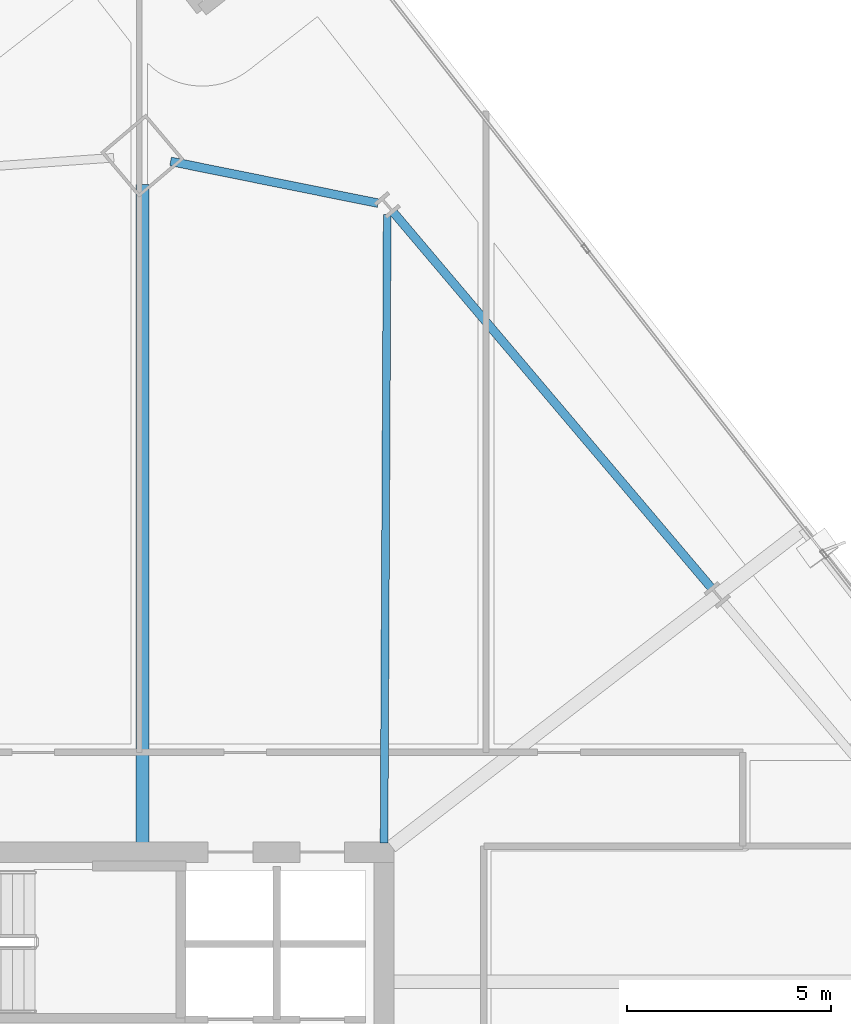
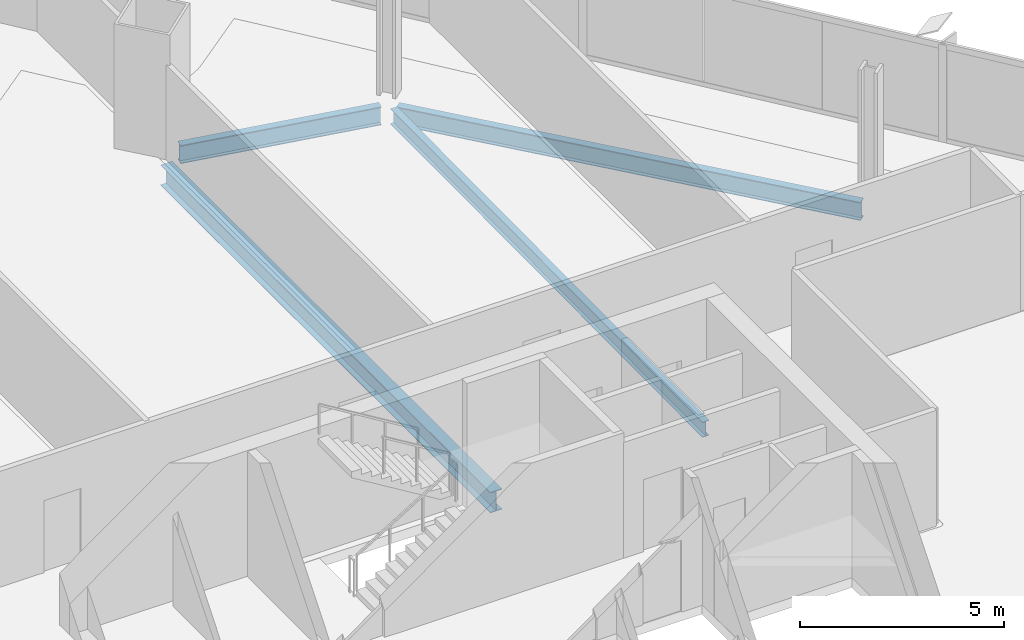
# One storey, part 20 of 32: 4 beams.
"""IFC4 building model written with IfcOpenShell, lengths in metres."""

from ifc_helpers import new_model, si_unit, direction, frame, origin, origin_2d, place, context, subcontext, project, spatial, i_section, extrude, material, material_profile, profile_set, type_object, element, save


model = new_model("IFC4")

# Units and contexts
model_context = context("Model", 3, precision=1e-05, world=origin(), true_north=direction((0.0, 1.0)))
body_context = subcontext(model_context, "Body", "Model", "MODEL_VIEW")
ifc_project = project(units=[si_unit("LENGTHUNIT", "METRE"), si_unit("AREAUNIT", "SQUARE_METRE"), si_unit("VOLUMEUNIT", "CUBIC_METRE"), si_unit("PLANEANGLEUNIT", "RADIAN"), si_unit("MASSUNIT", "GRAM", prefix="KILO")], contexts=[model_context])

# Site, building, storey
site_placement = place(None, origin())
site = spatial("IfcSite", under=ifc_project, at=site_placement, CompositionType="ELEMENT")
building_placement = place(site_placement, origin())
building = spatial("IfcBuilding", under=site, at=building_placement, Name="Haldenkirk Collegiate Tower", CompositionType="ELEMENT")
storey_placement = place(building_placement, frame((0.0, 0.0, 155.699951171875)))
storey = spatial("IfcBuildingStorey", under=building, at=storey_placement, Name="L38", CompositionType="ELEMENT", Elevation=155.699951171875)

# Beams
ifc_material = material(Name="Steel ASTM A992 Grade 50", Category="steel")
ifc_material_profile_1 = material_profile(ifc_material, i_section(OverallWidth=0.324951171875, OverallDepth=0.615966796875, WebThickness=0.013916015625, FlangeThickness=0.021484375, at=origin_2d()), Name="W24X117")
ifc_profile_set_1 = profile_set([ifc_material_profile_1], Name="Steel ASTM A992 Grade 50")
beam_type_1 = type_object("IfcBeamType", Name="BM-GIRDER-W24X117", PredefinedType="BEAM", material=ifc_profile_set_1)
beam_1_placement = place(storey_placement, frame((39.076904296875, 50.3701171875, -0.597900390625), z_axis=(0.0, -1.0, 0.0), x_axis=(1.0, 0.0, 0.0)))
element("IfcBeam", 1, at=beam_1_placement, inside=storey, type_object=beam_type_1, Name="L38 primary floor girder 03", PredefinedType="BEAM", context=body_context, shape_type="SweptSolid", body=[
    extrude(i_section(OverallWidth=0.324951171875, OverallDepth=0.615966796875, WebThickness=0.013916015625, FlangeThickness=0.021484375, at=origin_2d()), origin(), (0.0, 0.0, 1.0), 16.14013671875),
])
ifc_material_profile_2 = material_profile(ifc_material, i_section(OverallWidth=0.18994140625, OverallDepth=0.45703125, WebThickness=0.009033203125, FlangeThickness=0.014404296875, at=origin_2d()), Name="W18X50")
ifc_profile_set_2 = profile_set([ifc_material_profile_2], Name="Steel ASTM A992 Grade 50")
beam_type_2 = type_object("IfcBeamType", Name="BM-JOIST-W18X50", PredefinedType="JOIST", material=ifc_profile_set_2)
beam_2_placement = place(storey_placement, frame((45.07861328125, 49.63623046875, -0.5185546875), z_axis=(-0.005023389964, -0.999987382697, 0.0), x_axis=(0.999987382697, -0.005023389964, 0.0)))
element("IfcBeam", 2, at=beam_2_placement, inside=storey, type_object=beam_type_2, Name="L38 composite floor joist 10", PredefinedType="JOIST", context=body_context, shape_type="SweptSolid", body=[
    extrude(i_section(OverallWidth=0.18994140625, OverallDepth=0.45703125, WebThickness=0.009033203125, FlangeThickness=0.014404296875, at=origin_2d()), origin(), (0.0, 0.0, 1.0), 15.406494140625),
])
ifc_material_profile_3 = material_profile(ifc_material, i_section(OverallWidth=0.2119140625, OverallDepth=0.5439453125, WebThickness=0.01318359375, FlangeThickness=0.021240234375, at=origin_2d()), Name="W21X83")
ifc_profile_set_3 = profile_set([ifc_material_profile_3], Name="Steel ASTM A992 Grade 50")
beam_type_3 = type_object("IfcBeamType", Name="BM-SPANDREL-W21X83", PredefinedType="SPANDREL", material=ifc_profile_set_3)
beam_3_placement = place(storey_placement, frame((53.023193359375, 40.482177734375, -0.56201171875), z_axis=(-0.646126367676, 0.763230448157, 0.0), x_axis=(-0.763230448157, -0.646126367676, 0.0)))
element("IfcBeam", 3, at=beam_3_placement, inside=storey, type_object=beam_type_3, Name="L38 perimeter spandrel beam 07", PredefinedType="SPANDREL", context=body_context, shape_type="SweptSolid", body=[
    extrude(i_section(OverallWidth=0.2119140625, OverallDepth=0.5439453125, WebThickness=0.01318359375, FlangeThickness=0.021240234375, at=origin_2d()), origin(), (0.0, 0.0, 1.0), 12.06494140625),
])
beam_4_placement = place(storey_placement, frame((44.85546875, 49.910400390625, -0.56201171875), z_axis=(-0.980286465062, 0.197581493102, 0.0), x_axis=(-0.197581493102, -0.980286465062, 0.0)))
element("IfcBeam", 4, at=beam_4_placement, inside=storey, type_object=beam_type_3, Name="L38 perimeter spandrel beam 08", PredefinedType="SPANDREL", context=body_context, shape_type="SweptSolid", body=[
    extrude(i_section(OverallWidth=0.2119140625, OverallDepth=0.5439453125, WebThickness=0.01318359375, FlangeThickness=0.021240234375, at=origin_2d()), origin(), (0.0, 0.0, 1.0), 5.189697265625),
])

save(model, "model.ifc")
